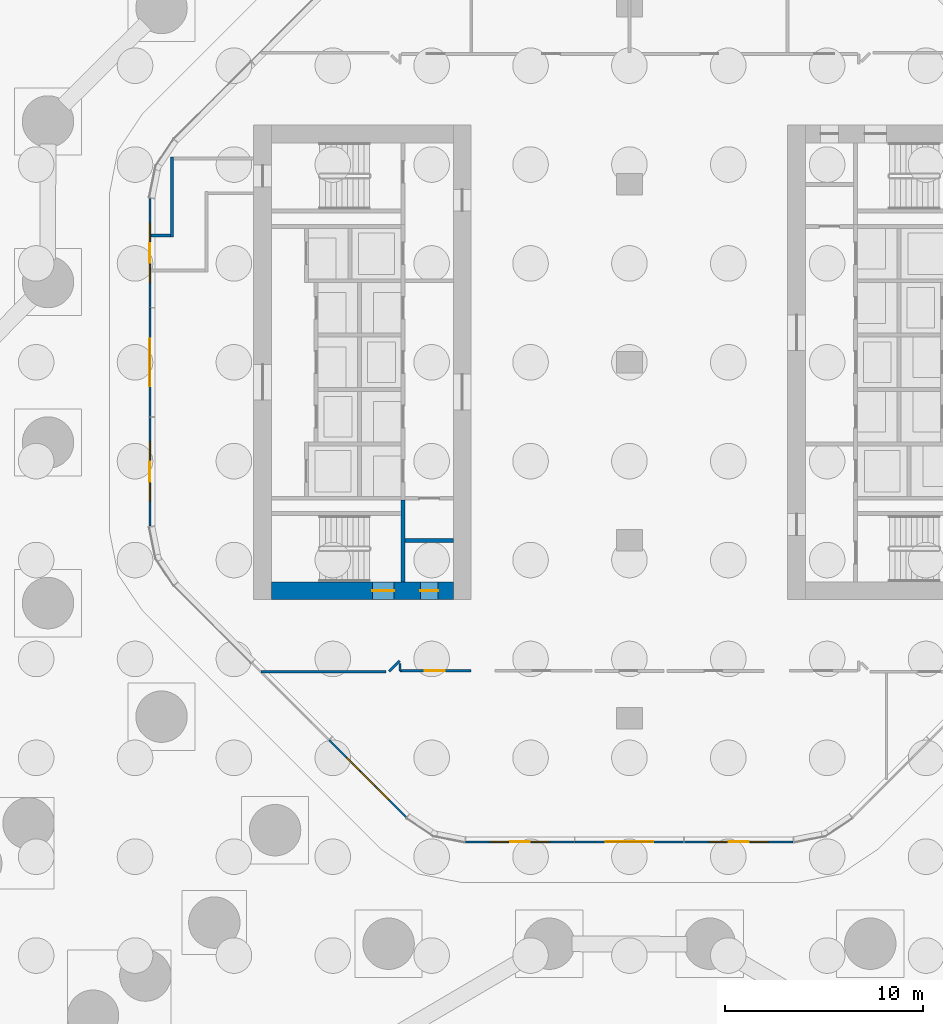
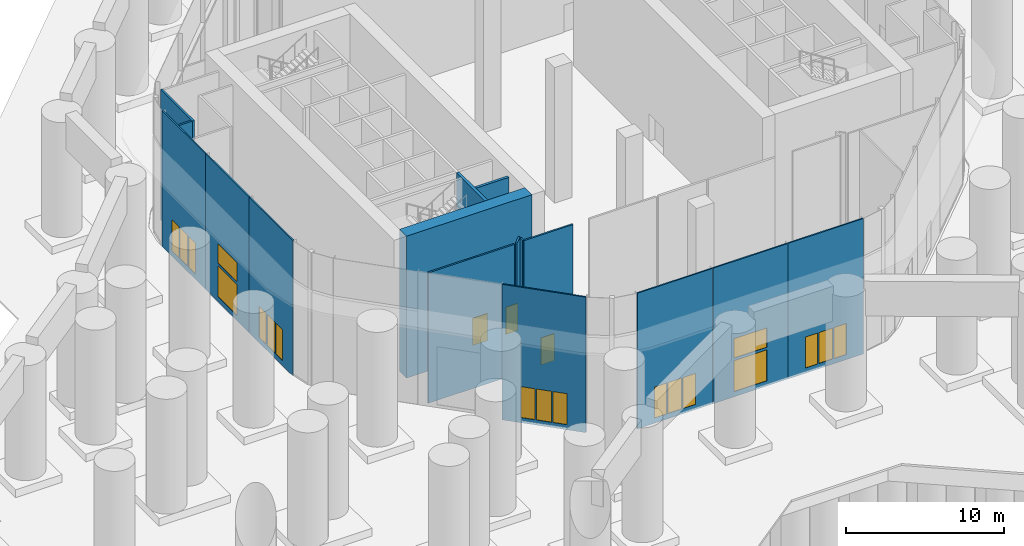
# One storey, part 22 of 31: 16 walls, 12 windows, 10 doors, 22 openings.
"""IFC4 building model written with IfcOpenShell, lengths in metres."""

from ifc_helpers import new_model, si_unit, direction, frame, frame_2d, origin, place, context, subcontext, project, spatial, rectangle, extrude, material, layer, layer_set, type_object, element, fill, save


model = new_model("IFC4")

# Units and contexts
model_context = context("Model", 3, precision=1e-05, world=origin(), true_north=direction((0.0, 1.0)))
body_context = subcontext(model_context, "Body", "Model", "MODEL_VIEW")
ifc_project = project(units=[si_unit("LENGTHUNIT", "METRE"), si_unit("AREAUNIT", "SQUARE_METRE"), si_unit("VOLUMEUNIT", "CUBIC_METRE"), si_unit("PLANEANGLEUNIT", "RADIAN"), si_unit("MASSUNIT", "GRAM", prefix="KILO")], contexts=[model_context])

# Site, building, storey
site_placement = place(None, origin())
site = spatial("IfcSite", under=ifc_project, at=site_placement, CompositionType="ELEMENT")
building_placement = place(site_placement, origin())
building = spatial("IfcBuilding", under=site, at=building_placement, Name="Orlundy Tower", CompositionType="ELEMENT")
storey_placement = place(building_placement, origin())
storey = spatial("IfcBuildingStorey", under=building, at=storey_placement, Name="L00", CompositionType="ELEMENT", Elevation=0.0)

# Wall, openings, doors
ifc_material_1 = material(Name="Concrete C80/95", Category="concrete")
ifc_layer_1 = layer(ifc_material_1, 0.89990234375)
ifc_layer_set_1 = layer_set([ifc_layer_1], Name="CORE WALL 900 C80/95")
wall_type_1 = type_object("IfcWallType", Name="CORE WALL 900 C80/95", PredefinedType="SHEAR", material=ifc_layer_set_1)
wall_1_placement = place(storey_placement, frame((-18.10009765625, -11.550048828125, -0.5), z_axis=(0.0, 0.0, 1.0), x_axis=(1.0, 0.0, 0.0)))
wall_1 = element("IfcWall", 1, at=wall_1_placement, inside=storey, type_object=wall_type_1, Name="Core wall W-S L00", PredefinedType="SHEAR", context=body_context, shape_type="SweptSolid", body=[
    extrude(rectangle(XDim=9.2001953125, YDim=0.89990234375, at=frame_2d((4.60009765625, 0.0))), origin(), (0.0, 0.0, 1.0), 11.0),
])
opening_1_placement = place(wall_1_placement, frame((5.10009765625, 0.0, 0.5)))
opening_1 = element("IfcOpeningElement", 2, at=opening_1_placement, cuts=wall_1, Name="Opening 01015", PredefinedType="OPENING", context=body_context, shape_type="SweptSolid", body=[
    extrude(rectangle(XDim=1.10009765625, YDim=2.10009765625, at=frame_2d((0.550048828125, 1.050048828125))), frame((0.0, 0.4599609375, 0.0), z_axis=(0.0, -1.0, 0.0), x_axis=(1.0, 0.0, 0.0)), (0.0, 0.0, 1.0), 0.919921875),
])
opening_2_placement = place(wall_1_placement, frame((7.530029296875, 0.0, 0.5)))
opening_2 = element("IfcOpeningElement", 3, at=opening_2_placement, cuts=wall_1, Name="Opening 01017", PredefinedType="OPENING", context=body_context, shape_type="SweptSolid", body=[
    extrude(rectangle(XDim=0.89990234375, YDim=2.10009765625, at=frame_2d((0.449951171875, 1.050048828125))), frame((0.0, 0.4599609375, 0.0), z_axis=(0.0, -1.0, 0.0), x_axis=(1.0, 0.0, 0.0)), (0.0, 0.0, 1.0), 0.919921875),
])
ifc_material_2 = material(Name="Timber door set", Category="wood")
door_type_1 = type_object("IfcDoorType", Name="Room Door 900x2100", OperationType="SINGLE_SWING_LEFT", PredefinedType="DOOR", material=ifc_material_2)
door_1_placement = place(opening_2_placement, origin())
door_1 = element("IfcDoor", 4, at=door_1_placement, inside=storey, type_object=door_type_1, Name="Store door 01017", OperationType="SINGLE_SWING_RIGHT", OverallHeight=2.10009765625, OverallWidth=0.89990234375, PredefinedType="DOOR", context=body_context, shape_type="SweptSolid", body=[
    extrude(rectangle(XDim=0.89990234375, YDim=2.10009765625, at=frame_2d((0.449951171875, 1.050048828125))), frame((0.0, 0.02490234375, 0.0), z_axis=(0.0, -1.0, 0.0), x_axis=(1.0, 0.0, 0.0)), (0.0, 0.0, 1.0), 0.050048828125),
])
fill(opening_2, door_1)
ifc_material_3 = material(Name="Steel door set", Category="steel")
door_type_2 = type_object("IfcDoorType", Name="Stair Door 1100x2100", OperationType="SINGLE_SWING_LEFT", PredefinedType="DOOR", material=ifc_material_3)
door_2_placement = place(opening_1_placement, origin())
door_2 = element("IfcDoor", 5, at=door_2_placement, inside=storey, type_object=door_type_2, Name="Stair door 01015", OperationType="SINGLE_SWING_RIGHT", OverallHeight=2.10009765625, OverallWidth=1.10009765625, PredefinedType="DOOR", context=body_context, shape_type="SweptSolid", body=[
    extrude(rectangle(XDim=1.10009765625, YDim=2.10009765625, at=frame_2d((0.550048828125, 1.050048828125))), frame((0.0, 0.02490234375, 0.0), z_axis=(0.0, -1.0, 0.0), x_axis=(1.0, 0.0, 0.0)), (0.0, 0.0, 1.0), 0.050048828125),
])
fill(opening_1, door_2)

# Walls
ifc_material_4 = material(Name="Gypsum board partition, double layer")
ifc_layer_2 = layer(ifc_material_4, 0.125)
ifc_layer_set_2 = layer_set([ifc_layer_2], Name="Floor partition 125")
wall_type_2 = type_object("IfcWallType", Name="Floor partition 125", PredefinedType="PARTITIONING", material=ifc_layer_set_2)
wall_2_placement = place(storey_placement, frame((-11.60107421875, -15.241943359375, 0.0), z_axis=(0.0, 0.0, 1.0), x_axis=(0.002726642898, -0.999996282702, 0.0)))
element("IfcWall", 6, at=wall_2_placement, inside=storey, type_object=wall_type_2, Name="wall-int-L00-001", PredefinedType="PARTITIONING", context=body_context, shape_type="SweptSolid", body=[
    extrude(rectangle(XDim=0.358154296875, YDim=0.125, at=frame_2d((0.17919921875, 0.0))), origin(), (0.0, 0.0, 1.0), 10.10009765625),
])
wall_3_placement = place(storey_placement, frame((-18.64208984375, -15.65087890625, 0.0), z_axis=(0.0, 0.0, 1.0), x_axis=(1.0, 0.0, 0.0)))
element("IfcWall", 7, at=wall_3_placement, inside=storey, type_object=wall_type_2, Name="wall-int-L00-004", PredefinedType="PARTITIONING", context=body_context, shape_type="SweptSolid", body=[
    extrude(rectangle(XDim=6.3310546875, YDim=0.125, at=frame_2d((3.16552734375, 0.0))), origin(), (0.0, 0.0, 1.0), 10.10009765625),
])

# Wall, opening, door
wall_4_placement = place(storey_placement, frame((-8.0, -15.60009765625, 0.0), z_axis=(0.0, 0.0, 1.0), x_axis=(-1.0, 0.0, 0.0)))
wall_4 = element("IfcWall", 8, at=wall_4_placement, inside=storey, type_object=wall_type_2, Name="wall-int-L00-006", PredefinedType="PARTITIONING", context=body_context, shape_type="SweptSolid", body=[
    extrude(rectangle(XDim=3.60009765625, YDim=0.125, at=frame_2d((1.800048828125, 0.0))), origin(), (0.0, 0.0, 1.0), 10.10009765625),
])
opening_3_placement = place(wall_4_placement, frame((1.35009765625, 0.0, 0.0)))
opening_3 = element("IfcOpeningElement", 9, at=opening_3_placement, cuts=wall_4, Name="Opening 01105", PredefinedType="OPENING", context=body_context, shape_type="SweptSolid", body=[
    extrude(rectangle(XDim=1.0, YDim=2.10009765625, at=frame_2d((0.5, 1.050048828125))), frame((0.0, 0.072509765625, 0.0), z_axis=(0.0, -1.0, 0.0), x_axis=(1.0, 0.0, 0.0)), (0.0, 0.0, 1.0), 0.14501953125),
])
ifc_material_5 = material(Name="Timber door leaf", Category="wood")
door_type_3 = type_object("IfcDoorType", Name="Floor door wide 1000 FD30S", OperationType="NOTDEFINED", PredefinedType="DOOR", material=ifc_material_5)
door_3_placement = place(opening_3_placement, origin())
door_3 = element("IfcDoor", 10, at=door_3_placement, inside=storey, type_object=door_type_3, Name="Door 01105", OperationType="SINGLE_SWING_RIGHT", OverallHeight=2.10009765625, OverallWidth=1.0, PredefinedType="DOOR", context=body_context, shape_type="SweptSolid", body=[
    extrude(rectangle(XDim=1.0, YDim=2.10009765625, at=frame_2d((0.5, 1.050048828125))), frame((0.0, 0.02490234375, 0.0), z_axis=(0.0, -1.0, 0.0), x_axis=(1.0, 0.0, 0.0)), (0.0, 0.0, 1.0), 0.050048828125),
])
fill(opening_3, door_3)

# Wall
wall_5_placement = place(storey_placement, frame((-12.153076171875, -15.631103515625, 0.0), z_axis=(0.0, 0.0, 1.0), x_axis=(0.707106781187, 0.707106781187, 0.0)))
element("IfcWall", 11, at=wall_5_placement, inside=storey, type_object=wall_type_2, Name="wall-int-L00-014", PredefinedType="PARTITIONING", context=body_context, shape_type="SweptSolid", body=[
    extrude(rectangle(XDim=0.7509765625, YDim=0.125, at=frame_2d((0.37548828125, 0.0))), origin(), (0.0, 0.0, 1.0), 10.10009765625),
])

# Wall, openings, door, windows
ifc_material_6 = material(Name="Aluminium bronze and tinted glass", Category="aluminium")
ifc_layer_3 = layer(ifc_material_6, 0.10009765625)
ifc_layer_set_3 = layer_set([ifc_layer_3], Name="Glazed door screen")
wall_type_3 = type_object("IfcWallType", Name="Glazed door screen", PredefinedType="STANDARD", material=ifc_layer_set_3)
wall_6_placement = place(storey_placement, frame((-11.288818359375, -23.0048828125, -0.39990234375), z_axis=(0.0, 0.0, 1.0), x_axis=(-0.707106781187, 0.707106781187, 0.0)))
wall_6 = element("IfcWall", 12, at=wall_6_placement, inside=storey, type_object=wall_type_3, Name="Glazed door screen", PredefinedType="STANDARD", context=body_context, shape_type="SweptSolid", body=[
    extrude(rectangle(XDim=5.513671875, YDim=0.10009765625, at=frame_2d((2.7568359375, 0.0))), origin(), (0.0, 0.0, 1.0), 10.5),
])
opening_4_placement = place(wall_6_placement, frame((2.2568359375, 0.0, 0.39990234375)))
opening_4 = element("IfcOpeningElement", 13, at=opening_4_placement, cuts=wall_6, Name="Opening 01900", PredefinedType="OPENING", context=body_context, shape_type="SweptSolid", body=[
    extrude(rectangle(XDim=1.0, YDim=2.39990234375, at=frame_2d((0.5, 1.199951171875))), frame((0.0, 0.06005859375, 0.0), z_axis=(0.0, -1.0, 0.0), x_axis=(1.0, 0.0, 0.0)), (0.0, 0.0, 1.0), 0.1201171875),
])
opening_5_placement = place(wall_6_placement, frame((1.2568359375, 0.0, 0.39990234375)))
opening_5 = element("IfcOpeningElement", 14, at=opening_5_placement, cuts=wall_6, Name="Opening W02", PredefinedType="OPENING", context=body_context, shape_type="SweptSolid", body=[
    extrude(rectangle(XDim=0.89990234375, YDim=2.39990234375, at=frame_2d((0.449951171875, 1.199951171875))), frame((0.0, 0.06005859375, 0.0), z_axis=(0.0, -1.0, 0.0), x_axis=(1.0, 0.0, 0.0)), (0.0, 0.0, 1.0), 0.1201171875),
])
opening_6_placement = place(wall_6_placement, frame((3.356689453125, 0.0, 0.39990234375)))
opening_6 = element("IfcOpeningElement", 15, at=opening_6_placement, cuts=wall_6, Name="Opening W02", PredefinedType="OPENING", context=body_context, shape_type="SweptSolid", body=[
    extrude(rectangle(XDim=0.89990234375, YDim=2.39990234375, at=frame_2d((0.449951171875, 1.199951171875))), frame((0.0, 0.06005859375, 0.0), z_axis=(0.0, -1.0, 0.0), x_axis=(1.0, 0.0, 0.0)), (0.0, 0.0, 1.0), 0.1201171875),
])
ifc_material_7 = material(Name="Aluminium bronze and tinted glass", Category="aluminium")
door_type_4 = type_object("IfcDoorType", Name="ED2 entrance door 1000x2400", OperationType="NOTDEFINED", PredefinedType="DOOR", material=ifc_material_7)
door_4_placement = place(opening_4_placement, origin())
door_4 = element("IfcDoor", 16, at=door_4_placement, inside=storey, type_object=door_type_4, Name="Door 01900", OperationType="SINGLE_SWING_RIGHT", OverallHeight=2.39990234375, OverallWidth=1.0, PredefinedType="DOOR", context=body_context, shape_type="SweptSolid", body=[
    extrude(rectangle(XDim=1.0, YDim=2.39990234375, at=frame_2d((0.5, 1.199951171875))), frame((0.0, 0.02490234375, 0.0), z_axis=(0.0, -1.0, 0.0), x_axis=(1.0, 0.0, 0.0)), (0.0, 0.0, 1.0), 0.050048828125),
])
fill(opening_4, door_4)
ifc_material_8 = material(Name="Tinted glass in bronze aluminium frame", Category="aluminium")
window_type_1 = type_object("IfcWindowType", Name="SL2 sidelight 900x2400", PartitioningType="SINGLE_PANEL", PredefinedType="WINDOW", material=ifc_material_8)
window_1_placement = place(opening_5_placement, origin())
window_1 = element("IfcWindow", 17, at=window_1_placement, inside=storey, type_object=window_type_1, Name="Window W02 L00", OverallHeight=2.39990234375, OverallWidth=0.89990234375, PartitioningType="SINGLE_PANEL", PredefinedType="WINDOW", context=body_context, shape_type="SweptSolid", body=[
    extrude(rectangle(XDim=0.89990234375, YDim=2.39990234375, at=frame_2d((0.449951171875, 1.199951171875))), frame((0.0, 0.030029296875, 0.0), z_axis=(0.0, -1.0, 0.0), x_axis=(1.0, 0.0, 0.0)), (0.0, 0.0, 1.0), 0.06005859375),
])
fill(opening_5, window_1)
window_2_placement = place(opening_6_placement, origin())
window_2 = element("IfcWindow", 18, at=window_2_placement, inside=storey, type_object=window_type_1, Name="Window W02 L00", OverallHeight=2.39990234375, OverallWidth=0.89990234375, PartitioningType="SINGLE_PANEL", PredefinedType="WINDOW", context=body_context, shape_type="SweptSolid", body=[
    extrude(rectangle(XDim=0.89990234375, YDim=2.39990234375, at=frame_2d((0.449951171875, 1.199951171875))), frame((0.0, 0.030029296875, 0.0), z_axis=(0.0, -1.0, 0.0), x_axis=(1.0, 0.0, 0.0)), (0.0, 0.0, 1.0), 0.06005859375),
])
fill(opening_6, window_2)

wall_7_placement = place(storey_placement, frame((-24.25, -8.283935546875, -0.39990234375), z_axis=(0.0, 0.0, 1.0), x_axis=(0.0, 1.0, 0.0)))
wall_7 = element("IfcWall", 19, at=wall_7_placement, inside=storey, type_object=wall_type_3, Name="Glazed door screen", PredefinedType="STANDARD", context=body_context, shape_type="SweptSolid", body=[
    extrude(rectangle(XDim=5.51318359375, YDim=0.10009765625, at=frame_2d((2.756591796875, 0.0))), origin(), (0.0, 0.0, 1.0), 10.5),
])
opening_7_placement = place(wall_7_placement, frame((2.256591796875, 0.0, 0.39990234375)))
opening_7 = element("IfcOpeningElement", 20, at=opening_7_placement, cuts=wall_7, Name="Opening 01901", PredefinedType="OPENING", context=body_context, shape_type="SweptSolid", body=[
    extrude(rectangle(XDim=1.0, YDim=2.39990234375, at=frame_2d((0.5, 1.199951171875))), frame((0.0, 0.06005859375, 0.0), z_axis=(0.0, -1.0, 0.0), x_axis=(1.0, 0.0, 0.0)), (0.0, 0.0, 1.0), 0.1201171875),
])
opening_8_placement = place(wall_7_placement, frame((1.256591796875, 0.0, 0.39990234375)))
opening_8 = element("IfcOpeningElement", 21, at=opening_8_placement, cuts=wall_7, Name="Opening W02", PredefinedType="OPENING", context=body_context, shape_type="SweptSolid", body=[
    extrude(rectangle(XDim=0.89990234375, YDim=2.39990234375, at=frame_2d((0.449951171875, 1.199951171875))), frame((0.0, 0.06005859375, 0.0), z_axis=(0.0, -1.0, 0.0), x_axis=(1.0, 0.0, 0.0)), (0.0, 0.0, 1.0), 0.1201171875),
])
opening_9_placement = place(wall_7_placement, frame((3.356689453125, 0.0, 0.39990234375)))
opening_9 = element("IfcOpeningElement", 22, at=opening_9_placement, cuts=wall_7, Name="Opening W02", PredefinedType="OPENING", context=body_context, shape_type="SweptSolid", body=[
    extrude(rectangle(XDim=0.89990234375, YDim=2.39990234375, at=frame_2d((0.449951171875, 1.199951171875))), frame((0.0, 0.06005859375, 0.0), z_axis=(0.0, -1.0, 0.0), x_axis=(1.0, 0.0, 0.0)), (0.0, 0.0, 1.0), 0.1201171875),
])
door_5_placement = place(opening_7_placement, origin())
door_5 = element("IfcDoor", 23, at=door_5_placement, inside=storey, type_object=door_type_4, Name="Door 01901", OperationType="SINGLE_SWING_RIGHT", OverallHeight=2.39990234375, OverallWidth=1.0, PredefinedType="DOOR", context=body_context, shape_type="SweptSolid", body=[
    extrude(rectangle(XDim=1.0, YDim=2.39990234375, at=frame_2d((0.5, 1.199951171875))), frame((0.0, 0.02490234375, 0.0), z_axis=(0.0, -1.0, 0.0), x_axis=(1.0, 0.0, 0.0)), (0.0, 0.0, 1.0), 0.050048828125),
])
fill(opening_7, door_5)
window_3_placement = place(opening_8_placement, origin())
window_3 = element("IfcWindow", 24, at=window_3_placement, inside=storey, type_object=window_type_1, Name="Window W02 L00", OverallHeight=2.39990234375, OverallWidth=0.89990234375, PartitioningType="SINGLE_PANEL", PredefinedType="WINDOW", context=body_context, shape_type="SweptSolid", body=[
    extrude(rectangle(XDim=0.89990234375, YDim=2.39990234375, at=frame_2d((0.449951171875, 1.199951171875))), frame((0.0, 0.030029296875, 0.0), z_axis=(0.0, -1.0, 0.0), x_axis=(1.0, 0.0, 0.0)), (0.0, 0.0, 1.0), 0.06005859375),
])
fill(opening_8, window_3)
window_4_placement = place(opening_9_placement, origin())
window_4 = element("IfcWindow", 25, at=window_4_placement, inside=storey, type_object=window_type_1, Name="Window W02 L00", OverallHeight=2.39990234375, OverallWidth=0.89990234375, PartitioningType="SINGLE_PANEL", PredefinedType="WINDOW", context=body_context, shape_type="SweptSolid", body=[
    extrude(rectangle(XDim=0.89990234375, YDim=2.39990234375, at=frame_2d((0.449951171875, 1.199951171875))), frame((0.0, 0.030029296875, 0.0), z_axis=(0.0, -1.0, 0.0), x_axis=(1.0, 0.0, 0.0)), (0.0, 0.0, 1.0), 0.06005859375),
])
fill(opening_9, window_4)

# Wall, openings, door, window
wall_8_placement = place(storey_placement, frame((-24.25, -2.751953125, -0.39990234375), z_axis=(0.0, 0.0, 1.0), x_axis=(0.0, 1.0, 0.0)))
wall_8 = element("IfcWall", 26, at=wall_8_placement, inside=storey, type_object=wall_type_3, Name="Glazed door screen", PredefinedType="STANDARD", context=body_context, shape_type="SweptSolid", body=[
    extrude(rectangle(XDim=5.50390625, YDim=0.10009765625, at=frame_2d((2.751953125, 0.0))), origin(), (0.0, 0.0, 1.0), 10.5),
])
opening_10_placement = place(wall_8_placement, frame((1.5517578125, 0.0, 0.39990234375)))
opening_10 = element("IfcOpeningElement", 27, at=opening_10_placement, cuts=wall_8, Name="Opening 01902", PredefinedType="OPENING", context=body_context, shape_type="SweptSolid", body=[
    extrude(rectangle(XDim=2.39990234375, YDim=2.39990234375, at=frame_2d((1.199951171875, 1.199951171875))), frame((0.0, 0.06005859375, 0.0), z_axis=(0.0, -1.0, 0.0), x_axis=(1.0, 0.0, 0.0)), (0.0, 0.0, 1.0), 0.1201171875),
])
opening_11_placement = place(wall_8_placement, frame((1.5517578125, 0.0, 3.0)))
opening_11 = element("IfcOpeningElement", 28, at=opening_11_placement, cuts=wall_8, Name="Opening W03", PredefinedType="OPENING", context=body_context, shape_type="SweptSolid", body=[
    extrude(rectangle(XDim=2.39990234375, YDim=1.5, at=frame_2d((1.199951171875, 0.75))), frame((0.0, 0.06005859375, 0.0), z_axis=(0.0, -1.0, 0.0), x_axis=(1.0, 0.0, 0.0)), (0.0, 0.0, 1.0), 0.1201171875),
])
ifc_material_9 = material(Name="Aluminium bronze and tinted glass", Category="aluminium")
door_type_5 = type_object("IfcDoorType", Name="ED1 revolving door 2400x2400", OperationType="REVOLVING", PredefinedType="DOOR", material=ifc_material_9)
door_6_placement = place(opening_10_placement, origin())
door_6 = element("IfcDoor", 29, at=door_6_placement, inside=storey, type_object=door_type_5, Name="Door 01902", OperationType="REVOLVING", OverallHeight=2.39990234375, OverallWidth=2.39990234375, PredefinedType="DOOR", context=body_context, shape_type="SweptSolid", body=[
    extrude(rectangle(XDim=2.39990234375, YDim=2.39990234375, at=frame_2d((1.199951171875, 1.199951171875))), frame((0.0, 0.02490234375, 0.0), z_axis=(0.0, -1.0, 0.0), x_axis=(1.0, 0.0, 0.0)), (0.0, 0.0, 1.0), 0.050048828125),
])
fill(opening_10, door_6)
ifc_material_10 = material(Name="Tinted glass in bronze aluminium frame", Category="aluminium")
window_type_2 = type_object("IfcWindowType", Name="TL1 fanlight 2400x1500", PartitioningType="SINGLE_PANEL", PredefinedType="WINDOW", material=ifc_material_10)
window_5_placement = place(opening_11_placement, origin())
window_5 = element("IfcWindow", 30, at=window_5_placement, inside=storey, type_object=window_type_2, Name="Window W03 L00", OverallHeight=1.5, OverallWidth=2.39990234375, PartitioningType="SINGLE_PANEL", PredefinedType="WINDOW", context=body_context, shape_type="SweptSolid", body=[
    extrude(rectangle(XDim=2.39990234375, YDim=1.5, at=frame_2d((1.199951171875, 0.75))), frame((0.0, 0.030029296875, 0.0), z_axis=(0.0, -1.0, 0.0), x_axis=(1.0, 0.0, 0.0)), (0.0, 0.0, 1.0), 0.06005859375),
])
fill(opening_11, window_5)

# Wall, openings, door, windows
wall_9_placement = place(storey_placement, frame((-24.25, 2.770751953125, -0.39990234375), z_axis=(0.0, 0.0, 1.0), x_axis=(0.0, 1.0, 0.0)))
wall_9 = element("IfcWall", 31, at=wall_9_placement, inside=storey, type_object=wall_type_3, Name="Glazed door screen", PredefinedType="STANDARD", context=body_context, shape_type="SweptSolid", body=[
    extrude(rectangle(XDim=5.51318359375, YDim=0.10009765625, at=frame_2d((2.756591796875, 0.0))), origin(), (0.0, 0.0, 1.0), 10.5),
])
opening_12_placement = place(wall_9_placement, frame((2.256591796875, 0.0, 0.39990234375)))
opening_12 = element("IfcOpeningElement", 32, at=opening_12_placement, cuts=wall_9, Name="Opening 01903", PredefinedType="OPENING", context=body_context, shape_type="SweptSolid", body=[
    extrude(rectangle(XDim=1.0, YDim=2.39990234375, at=frame_2d((0.5, 1.199951171875))), frame((0.0, 0.06005859375, 0.0), z_axis=(0.0, -1.0, 0.0), x_axis=(1.0, 0.0, 0.0)), (0.0, 0.0, 1.0), 0.1201171875),
])
opening_13_placement = place(wall_9_placement, frame((1.256591796875, 0.0, 0.39990234375)))
opening_13 = element("IfcOpeningElement", 33, at=opening_13_placement, cuts=wall_9, Name="Opening W02", PredefinedType="OPENING", context=body_context, shape_type="SweptSolid", body=[
    extrude(rectangle(XDim=0.89990234375, YDim=2.39990234375, at=frame_2d((0.449951171875, 1.199951171875))), frame((0.0, 0.06005859375, 0.0), z_axis=(0.0, -1.0, 0.0), x_axis=(1.0, 0.0, 0.0)), (0.0, 0.0, 1.0), 0.1201171875),
])
opening_14_placement = place(wall_9_placement, frame((3.356689453125, 0.0, 0.39990234375)))
opening_14 = element("IfcOpeningElement", 34, at=opening_14_placement, cuts=wall_9, Name="Opening W02", PredefinedType="OPENING", context=body_context, shape_type="SweptSolid", body=[
    extrude(rectangle(XDim=0.89990234375, YDim=2.39990234375, at=frame_2d((0.449951171875, 1.199951171875))), frame((0.0, 0.06005859375, 0.0), z_axis=(0.0, -1.0, 0.0), x_axis=(1.0, 0.0, 0.0)), (0.0, 0.0, 1.0), 0.1201171875),
])
door_7_placement = place(opening_12_placement, origin())
door_7 = element("IfcDoor", 35, at=door_7_placement, inside=storey, type_object=door_type_4, Name="Exit door 01903", OperationType="SINGLE_SWING_RIGHT", OverallHeight=2.39990234375, OverallWidth=1.0, PredefinedType="DOOR", context=body_context, shape_type="SweptSolid", body=[
    extrude(rectangle(XDim=1.0, YDim=2.39990234375, at=frame_2d((0.5, 1.199951171875))), frame((0.0, 0.02490234375, 0.0), z_axis=(0.0, -1.0, 0.0), x_axis=(1.0, 0.0, 0.0)), (0.0, 0.0, 1.0), 0.050048828125),
])
fill(opening_12, door_7)
window_6_placement = place(opening_13_placement, origin())
window_6 = element("IfcWindow", 36, at=window_6_placement, inside=storey, type_object=window_type_1, Name="Window W02 L00", OverallHeight=2.39990234375, OverallWidth=0.89990234375, PartitioningType="SINGLE_PANEL", PredefinedType="WINDOW", context=body_context, shape_type="SweptSolid", body=[
    extrude(rectangle(XDim=0.89990234375, YDim=2.39990234375, at=frame_2d((0.449951171875, 1.199951171875))), frame((0.0, 0.030029296875, 0.0), z_axis=(0.0, -1.0, 0.0), x_axis=(1.0, 0.0, 0.0)), (0.0, 0.0, 1.0), 0.06005859375),
])
fill(opening_13, window_6)
window_7_placement = place(opening_14_placement, origin())
window_7 = element("IfcWindow", 37, at=window_7_placement, inside=storey, type_object=window_type_1, Name="Window W02 L00", OverallHeight=2.39990234375, OverallWidth=0.89990234375, PartitioningType="SINGLE_PANEL", PredefinedType="WINDOW", context=body_context, shape_type="SweptSolid", body=[
    extrude(rectangle(XDim=0.89990234375, YDim=2.39990234375, at=frame_2d((0.449951171875, 1.199951171875))), frame((0.0, 0.030029296875, 0.0), z_axis=(0.0, -1.0, 0.0), x_axis=(1.0, 0.0, 0.0)), (0.0, 0.0, 1.0), 0.06005859375),
])
fill(opening_14, window_7)

wall_10_placement = place(storey_placement, frame((8.283935546875, -24.25, -0.39990234375), z_axis=(0.0, 0.0, 1.0), x_axis=(-1.0, 0.0, 0.0)))
wall_10 = element("IfcWall", 38, at=wall_10_placement, inside=storey, type_object=wall_type_3, Name="Glazed door screen", PredefinedType="STANDARD", context=body_context, shape_type="SweptSolid", body=[
    extrude(rectangle(XDim=5.51318359375, YDim=0.10009765625, at=frame_2d((2.756591796875, 0.0))), origin(), (0.0, 0.0, 1.0), 10.5),
])
opening_15_placement = place(wall_10_placement, frame((2.256591796875, 0.0, 0.39990234375)))
opening_15 = element("IfcOpeningElement", 39, at=opening_15_placement, cuts=wall_10, Name="Opening 01908", PredefinedType="OPENING", context=body_context, shape_type="SweptSolid", body=[
    extrude(rectangle(XDim=1.0, YDim=2.39990234375, at=frame_2d((0.5, 1.199951171875))), frame((0.0, 0.06005859375, 0.0), z_axis=(0.0, -1.0, 0.0), x_axis=(1.0, 0.0, 0.0)), (0.0, 0.0, 1.0), 0.1201171875),
])
opening_16_placement = place(wall_10_placement, frame((1.256591796875, 0.0, 0.39990234375)))
opening_16 = element("IfcOpeningElement", 40, at=opening_16_placement, cuts=wall_10, Name="Opening W02", PredefinedType="OPENING", context=body_context, shape_type="SweptSolid", body=[
    extrude(rectangle(XDim=0.89990234375, YDim=2.39990234375, at=frame_2d((0.449951171875, 1.199951171875))), frame((0.0, 0.06005859375, 0.0), z_axis=(0.0, -1.0, 0.0), x_axis=(1.0, 0.0, 0.0)), (0.0, 0.0, 1.0), 0.1201171875),
])
opening_17_placement = place(wall_10_placement, frame((3.356689453125, 0.0, 0.39990234375)))
opening_17 = element("IfcOpeningElement", 41, at=opening_17_placement, cuts=wall_10, Name="Opening W02", PredefinedType="OPENING", context=body_context, shape_type="SweptSolid", body=[
    extrude(rectangle(XDim=0.89990234375, YDim=2.39990234375, at=frame_2d((0.449951171875, 1.199951171875))), frame((0.0, 0.06005859375, 0.0), z_axis=(0.0, -1.0, 0.0), x_axis=(1.0, 0.0, 0.0)), (0.0, 0.0, 1.0), 0.1201171875),
])
door_8_placement = place(opening_15_placement, origin())
door_8 = element("IfcDoor", 42, at=door_8_placement, inside=storey, type_object=door_type_4, Name="Door 01908", OperationType="SINGLE_SWING_RIGHT", OverallHeight=2.39990234375, OverallWidth=1.0, PredefinedType="DOOR", context=body_context, shape_type="SweptSolid", body=[
    extrude(rectangle(XDim=1.0, YDim=2.39990234375, at=frame_2d((0.5, 1.199951171875))), frame((0.0, 0.02490234375, 0.0), z_axis=(0.0, -1.0, 0.0), x_axis=(1.0, 0.0, 0.0)), (0.0, 0.0, 1.0), 0.050048828125),
])
fill(opening_15, door_8)
window_8_placement = place(opening_16_placement, origin())
window_8 = element("IfcWindow", 43, at=window_8_placement, inside=storey, type_object=window_type_1, Name="Window W02 L00", OverallHeight=2.39990234375, OverallWidth=0.89990234375, PartitioningType="SINGLE_PANEL", PredefinedType="WINDOW", context=body_context, shape_type="SweptSolid", body=[
    extrude(rectangle(XDim=0.89990234375, YDim=2.39990234375, at=frame_2d((0.449951171875, 1.199951171875))), frame((0.0, 0.030029296875, 0.0), z_axis=(0.0, -1.0, 0.0), x_axis=(1.0, 0.0, 0.0)), (0.0, 0.0, 1.0), 0.06005859375),
])
fill(opening_16, window_8)
window_9_placement = place(opening_17_placement, origin())
window_9 = element("IfcWindow", 44, at=window_9_placement, inside=storey, type_object=window_type_1, Name="Window W02 L00", OverallHeight=2.39990234375, OverallWidth=0.89990234375, PartitioningType="SINGLE_PANEL", PredefinedType="WINDOW", context=body_context, shape_type="SweptSolid", body=[
    extrude(rectangle(XDim=0.89990234375, YDim=2.39990234375, at=frame_2d((0.449951171875, 1.199951171875))), frame((0.0, 0.030029296875, 0.0), z_axis=(0.0, -1.0, 0.0), x_axis=(1.0, 0.0, 0.0)), (0.0, 0.0, 1.0), 0.06005859375),
])
fill(opening_17, window_9)

# Wall, openings, door, window
wall_11_placement = place(storey_placement, frame((2.751953125, -24.25, -0.39990234375), z_axis=(0.0, 0.0, 1.0), x_axis=(-1.0, 0.0, 0.0)))
wall_11 = element("IfcWall", 45, at=wall_11_placement, inside=storey, type_object=wall_type_3, Name="Glazed door screen", PredefinedType="STANDARD", context=body_context, shape_type="SweptSolid", body=[
    extrude(rectangle(XDim=5.50390625, YDim=0.10009765625, at=frame_2d((2.751953125, 0.0))), origin(), (0.0, 0.0, 1.0), 10.5),
])
opening_18_placement = place(wall_11_placement, frame((1.5517578125, 0.0, 0.39990234375)))
opening_18 = element("IfcOpeningElement", 46, at=opening_18_placement, cuts=wall_11, Name="Opening 01909", PredefinedType="OPENING", context=body_context, shape_type="SweptSolid", body=[
    extrude(rectangle(XDim=2.39990234375, YDim=2.39990234375, at=frame_2d((1.199951171875, 1.199951171875))), frame((0.0, 0.06005859375, 0.0), z_axis=(0.0, -1.0, 0.0), x_axis=(1.0, 0.0, 0.0)), (0.0, 0.0, 1.0), 0.1201171875),
])
opening_19_placement = place(wall_11_placement, frame((1.5517578125, 0.0, 3.0)))
opening_19 = element("IfcOpeningElement", 47, at=opening_19_placement, cuts=wall_11, Name="Opening W03", PredefinedType="OPENING", context=body_context, shape_type="SweptSolid", body=[
    extrude(rectangle(XDim=2.39990234375, YDim=1.5, at=frame_2d((1.199951171875, 0.75))), frame((0.0, 0.06005859375, 0.0), z_axis=(0.0, -1.0, 0.0), x_axis=(1.0, 0.0, 0.0)), (0.0, 0.0, 1.0), 0.1201171875),
])
door_9_placement = place(opening_18_placement, origin())
door_9 = element("IfcDoor", 48, at=door_9_placement, inside=storey, type_object=door_type_5, Name="Door 01909", OperationType="REVOLVING", OverallHeight=2.39990234375, OverallWidth=2.39990234375, PredefinedType="DOOR", context=body_context, shape_type="SweptSolid", body=[
    extrude(rectangle(XDim=2.39990234375, YDim=2.39990234375, at=frame_2d((1.199951171875, 1.199951171875))), frame((0.0, 0.02490234375, 0.0), z_axis=(0.0, -1.0, 0.0), x_axis=(1.0, 0.0, 0.0)), (0.0, 0.0, 1.0), 0.050048828125),
])
fill(opening_18, door_9)
window_10_placement = place(opening_19_placement, origin())
window_10 = element("IfcWindow", 49, at=window_10_placement, inside=storey, type_object=window_type_2, Name="Window W03 L00", OverallHeight=1.5, OverallWidth=2.39990234375, PartitioningType="SINGLE_PANEL", PredefinedType="WINDOW", context=body_context, shape_type="SweptSolid", body=[
    extrude(rectangle(XDim=2.39990234375, YDim=1.5, at=frame_2d((1.199951171875, 0.75))), frame((0.0, 0.030029296875, 0.0), z_axis=(0.0, -1.0, 0.0), x_axis=(1.0, 0.0, 0.0)), (0.0, 0.0, 1.0), 0.06005859375),
])
fill(opening_19, window_10)

# Wall, openings, door, windows
wall_12_placement = place(storey_placement, frame((-2.770751953125, -24.25, -0.39990234375), z_axis=(0.0, 0.0, 1.0), x_axis=(-1.0, 0.0, 0.0)))
wall_12 = element("IfcWall", 50, at=wall_12_placement, inside=storey, type_object=wall_type_3, Name="Glazed door screen", PredefinedType="STANDARD", context=body_context, shape_type="SweptSolid", body=[
    extrude(rectangle(XDim=5.51318359375, YDim=0.10009765625, at=frame_2d((2.756591796875, 0.0))), origin(), (0.0, 0.0, 1.0), 10.5),
])
opening_20_placement = place(wall_12_placement, frame((2.256591796875, 0.0, 0.39990234375)))
opening_20 = element("IfcOpeningElement", 51, at=opening_20_placement, cuts=wall_12, Name="Opening 01910", PredefinedType="OPENING", context=body_context, shape_type="SweptSolid", body=[
    extrude(rectangle(XDim=1.0, YDim=2.39990234375, at=frame_2d((0.5, 1.199951171875))), frame((0.0, 0.06005859375, 0.0), z_axis=(0.0, -1.0, 0.0), x_axis=(1.0, 0.0, 0.0)), (0.0, 0.0, 1.0), 0.1201171875),
])
opening_21_placement = place(wall_12_placement, frame((1.256591796875, 0.0, 0.39990234375)))
opening_21 = element("IfcOpeningElement", 52, at=opening_21_placement, cuts=wall_12, Name="Opening W02", PredefinedType="OPENING", context=body_context, shape_type="SweptSolid", body=[
    extrude(rectangle(XDim=0.89990234375, YDim=2.39990234375, at=frame_2d((0.449951171875, 1.199951171875))), frame((0.0, 0.06005859375, 0.0), z_axis=(0.0, -1.0, 0.0), x_axis=(1.0, 0.0, 0.0)), (0.0, 0.0, 1.0), 0.1201171875),
])
opening_22_placement = place(wall_12_placement, frame((3.356689453125, 0.0, 0.39990234375)))
opening_22 = element("IfcOpeningElement", 53, at=opening_22_placement, cuts=wall_12, Name="Opening W02", PredefinedType="OPENING", context=body_context, shape_type="SweptSolid", body=[
    extrude(rectangle(XDim=0.89990234375, YDim=2.39990234375, at=frame_2d((0.449951171875, 1.199951171875))), frame((0.0, 0.06005859375, 0.0), z_axis=(0.0, -1.0, 0.0), x_axis=(1.0, 0.0, 0.0)), (0.0, 0.0, 1.0), 0.1201171875),
])
door_10_placement = place(opening_20_placement, origin())
door_10 = element("IfcDoor", 54, at=door_10_placement, inside=storey, type_object=door_type_4, Name="Door 01910", OperationType="SINGLE_SWING_RIGHT", OverallHeight=2.39990234375, OverallWidth=1.0, PredefinedType="DOOR", context=body_context, shape_type="SweptSolid", body=[
    extrude(rectangle(XDim=1.0, YDim=2.39990234375, at=frame_2d((0.5, 1.199951171875))), frame((0.0, 0.02490234375, 0.0), z_axis=(0.0, -1.0, 0.0), x_axis=(1.0, 0.0, 0.0)), (0.0, 0.0, 1.0), 0.050048828125),
])
fill(opening_20, door_10)
window_11_placement = place(opening_21_placement, origin())
window_11 = element("IfcWindow", 55, at=window_11_placement, inside=storey, type_object=window_type_1, Name="Window W02 L00", OverallHeight=2.39990234375, OverallWidth=0.89990234375, PartitioningType="SINGLE_PANEL", PredefinedType="WINDOW", context=body_context, shape_type="SweptSolid", body=[
    extrude(rectangle(XDim=0.89990234375, YDim=2.39990234375, at=frame_2d((0.449951171875, 1.199951171875))), frame((0.0, 0.030029296875, 0.0), z_axis=(0.0, -1.0, 0.0), x_axis=(1.0, 0.0, 0.0)), (0.0, 0.0, 1.0), 0.06005859375),
])
fill(opening_21, window_11)
window_12_placement = place(opening_22_placement, origin())
window_12 = element("IfcWindow", 56, at=window_12_placement, inside=storey, type_object=window_type_1, Name="Window W02 L00", OverallHeight=2.39990234375, OverallWidth=0.89990234375, PartitioningType="SINGLE_PANEL", PredefinedType="WINDOW", context=body_context, shape_type="SweptSolid", body=[
    extrude(rectangle(XDim=0.89990234375, YDim=2.39990234375, at=frame_2d((0.449951171875, 1.199951171875))), frame((0.0, 0.030029296875, 0.0), z_axis=(0.0, -1.0, 0.0), x_axis=(1.0, 0.0, 0.0)), (0.0, 0.0, 1.0), 0.06005859375),
])
fill(opening_22, window_12)

# Walls
ifc_material_11 = material(Name="Concrete C40/50", Category="concrete")
ifc_layer_4 = layer(ifc_material_11, 0.199951171875)
ifc_layer_set_4 = layer_set([ifc_layer_4], Name="Load-bearing Shaft Wall 200")
wall_type_4 = type_object("IfcWallType", Name="Load-bearing Shaft Wall 200", PredefinedType="SOLIDWALL", material=ifc_layer_set_4)
wall_13_placement = place(storey_placement, frame((-11.43994140625, -11.10009765625, 0.0), z_axis=(0.0, 0.0, 1.0), x_axis=(0.0, 1.0, 0.0)))
element("IfcWall", 57, at=wall_13_placement, inside=storey, type_object=wall_type_4, Name="Shaft wall W01-stair-end-s", PredefinedType="SOLIDWALL", context=body_context, shape_type="SweptSolid", body=[
    extrude(rectangle(XDim=4.125, YDim=0.199951171875, at=frame_2d((2.0625, 0.0))), origin(), (0.0, 0.0, 1.0), 10.090087890625),
])
ifc_material_12 = material(Name="Gypsum board partition on steel studs", Category="steel")
ifc_layer_5 = layer(ifc_material_12, 0.199951171875)
ifc_layer_set_5 = layer_set([ifc_layer_5], Name="Partition 200")
wall_type_5 = type_object("IfcWallType", Name="Partition 200", PredefinedType="PARTITIONING", material=ifc_layer_set_5)
wall_14_placement = place(storey_placement, frame((-8.89990234375, -9.0, 0.0), z_axis=(0.0, 0.0, 1.0), x_axis=(-1.0, 0.0, 0.0)))
element("IfcWall", 58, at=wall_14_placement, inside=storey, type_object=wall_type_5, Name="Partition wall W01-room-s0", PredefinedType="PARTITIONING", context=body_context, shape_type="SweptSolid", body=[
    extrude(rectangle(XDim=2.440185546875, YDim=0.199951171875, at=frame_2d((1.22021484375, 0.0))), origin(), (0.0, 0.0, 1.0), 10.090087890625),
])
ifc_material_13 = material(Name="Fire-rated blockwork shaft wall", Category="masonry")
ifc_layer_6 = layer(ifc_material_13, 0.14990234375)
ifc_layer_set_6 = layer_set([ifc_layer_6], Name="Shaft Wall 150")
wall_type_6 = type_object("IfcWallType", Name="Shaft Wall 150", PredefinedType="SOLIDWALL", material=ifc_layer_set_6)
wall_15_placement = place(storey_placement, frame((-24.199951171875, 6.40234375, 0.0), z_axis=(0.0, 0.0, 1.0), x_axis=(1.0, 0.0, 0.0)))
element("IfcWall", 59, at=wall_15_placement, inside=storey, type_object=wall_type_6, Name="Exit passage wall ST-W1-1", PredefinedType="SOLIDWALL", context=body_context, shape_type="SweptSolid", body=[
    extrude(rectangle(XDim=1.0, YDim=0.14990234375, at=frame_2d((0.5, 0.0))), origin(), (0.0, 0.0, 1.0), 10.090087890625),
])
wall_16_placement = place(storey_placement, frame((-23.125, 6.327392578125, 0.0), z_axis=(0.0, 0.0, 1.0), x_axis=(0.0, 1.0, 0.0)))
element("IfcWall", 60, at=wall_16_placement, inside=storey, type_object=wall_type_6, Name="Exit passage wall ST-W1-2", PredefinedType="SOLIDWALL", context=body_context, shape_type="SweptSolid", body=[
    extrude(rectangle(XDim=4.047607421875, YDim=0.14990234375, at=frame_2d((2.02392578125, 0.0))), origin(), (0.0, 0.0, 1.0), 10.090087890625),
])

save(model, "model.ifc")
